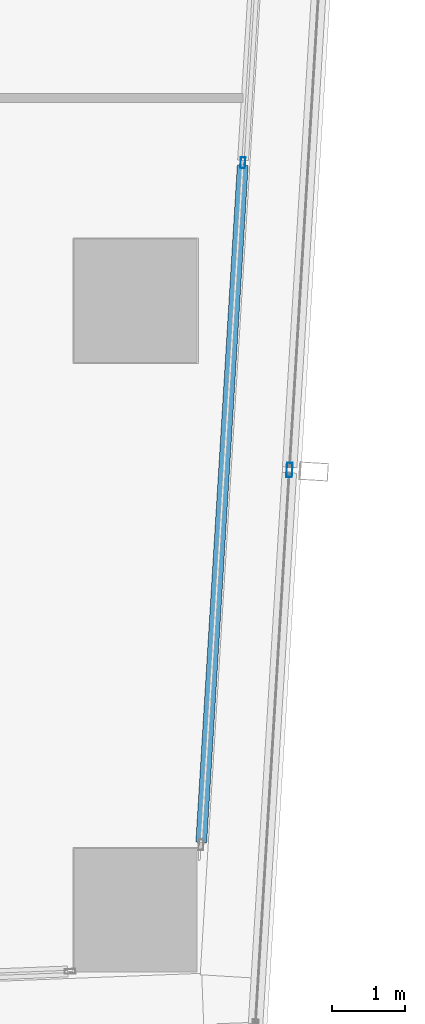
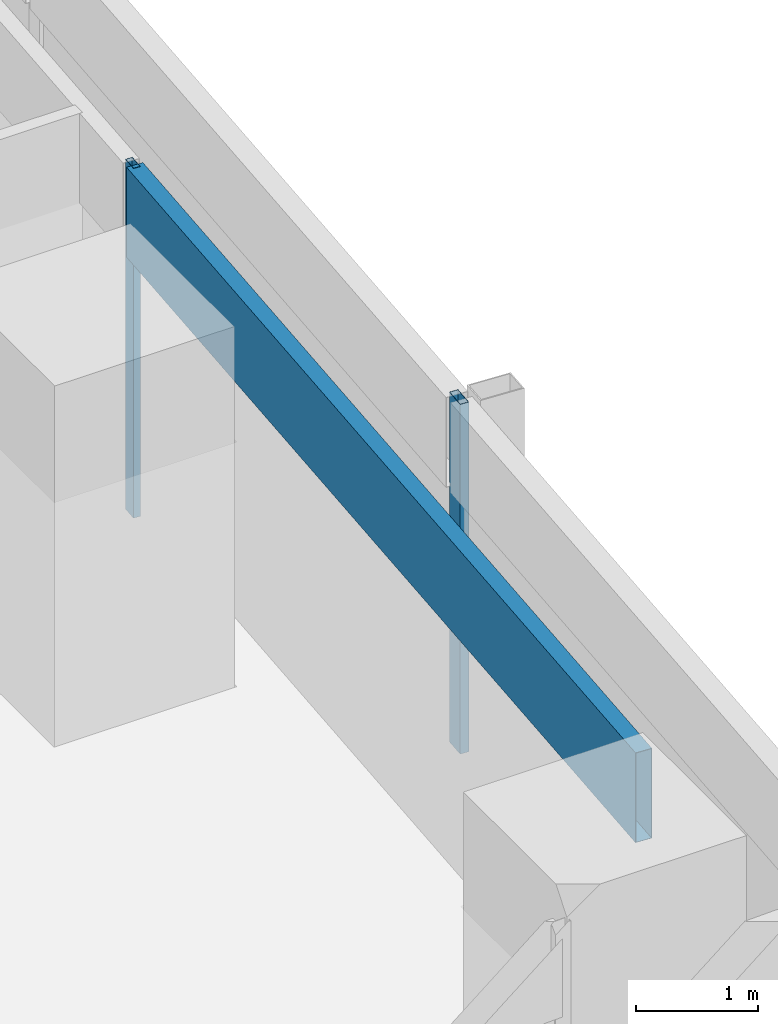
# One storey, part 10 of 38: 3 members, 2 elements without a shape of their own.
"""IFC4 building model written with IfcOpenShell, lengths in metres."""

from ifc_helpers import new_model, si_unit, direction, frame, origin, origin_2d, place, context, subcontext, project, spatial, hollow_rectangle, extrude, material, material_profile, profile_set, type_object, element, aggregate, save


model = new_model("IFC4")

# Units and contexts
model_context = context("Model", 3, precision=1e-05, world=origin(), true_north=direction((0.0, 1.0)))
body_context = subcontext(model_context, "Body", "Model", "MODEL_VIEW")
ifc_project = project(units=[si_unit("LENGTHUNIT", "METRE"), si_unit("AREAUNIT", "SQUARE_METRE"), si_unit("VOLUMEUNIT", "CUBIC_METRE"), si_unit("PLANEANGLEUNIT", "RADIAN"), si_unit("MASSUNIT", "GRAM", prefix="KILO")], contexts=[model_context])

# Site, building, storey
site_placement = place(None, origin())
site = spatial("IfcSite", under=ifc_project, at=site_placement, CompositionType="ELEMENT")
building_placement = place(site_placement, origin())
building = spatial("IfcBuilding", under=site, at=building_placement, Name="Rekha Terrace Tower", CompositionType="ELEMENT")
storey_placement = place(building_placement, frame((0.0, 0.0, 114.050048828125)))
storey = spatial("IfcBuildingStorey", under=building, at=storey_placement, Name="L28", CompositionType="ELEMENT", Elevation=114.050048828125)

# Curtain wall, members
ifc_material_1 = material(Name="Aluminium framing", Category="aluminium")
curtain_wall_type_1 = type_object("IfcCurtainWallType", Name="CW1 double skin inner glazing", PredefinedType="USERDEFINED", material=ifc_material_1)
curtain_wall_1_placement = place(storey_placement, origin())
curtain_wall_1 = element("IfcCurtainWall", 1, at=curtain_wall_1_placement, inside=storey, type_object=curtain_wall_type_1, Name="CW1 double skin inner glazing", ObjectType="DOUBLE SKIN INNER GLAZING", PredefinedType="USERDEFINED")
ifc_material_2 = material(Name="Aluminium mullion section", Category="aluminium")
ifc_material_profile_1 = material_profile(ifc_material_2, hollow_rectangle(XDim=0.06494140625, YDim=0.14990234375, WallThickness=0.00390625, at=origin_2d()), Name="AL RHS 65x150")
ifc_profile_set_1 = profile_set([ifc_material_profile_1], Name="Aluminium mullion section")
member_type_1 = type_object("IfcMemberType", Name="CW1 mullion RHS 65 x 150", PredefinedType="MULLION", material=ifc_profile_set_1)
member_1_placement = place(storey_placement, frame((68.679443359375, 27.101806640625, 0.0), z_axis=(0.0, 0.0, 1.0), x_axis=(-0.998127987024, 0.061159803131, 0.0)))
member_1 = element("IfcMember", 2, at=member_1_placement, type_object=member_type_1, Name="CW1 mullion 2", PredefinedType="MULLION", context=body_context, shape_type="SweptSolid", body=[
    extrude(hollow_rectangle(XDim=0.06494140625, YDim=0.14990234375, WallThickness=0.00390625, at=origin_2d()), origin(), (0.0, 0.0, 1.0), 3.5),
])
ifc_material_3 = material(Name="Insulated aluminium spandrel box", Category="aluminium")
ifc_material_profile_2 = material_profile(ifc_material_3, hollow_rectangle(XDim=0.14990234375, YDim=0.89990234375, WallThickness=0.0029296875, at=origin_2d()), Name="AL SPANDREL BOX 150x900")
ifc_profile_set_2 = profile_set([ifc_material_profile_2], Name="Insulated aluminium spandrel box")
member_type_2 = type_object("IfcMemberType", Name="CW1 spandrel transom 150 x 900", PredefinedType="USERDEFINED", material=ifc_profile_set_2)
member_2_placement = place(storey_placement, frame((68.10546875, 17.731689453125, 3.050048828125), z_axis=(0.061145082926, 0.998128888889, 0.0), x_axis=(-0.998128888889, 0.061145082926, 0.0)))
member_2 = element("IfcMember", 3, at=member_2_placement, type_object=member_type_2, Name="CW1 spandrel transom 1", ObjectType="TRANSOM", PredefinedType="USERDEFINED", context=body_context, shape_type="SweptSolid", body=[
    extrude(hollow_rectangle(XDim=0.14990234375, YDim=0.89990234375, WallThickness=0.0029296875, at=origin_2d()), origin(), (0.0, 0.0, 1.0), 9.355224609375),
])
aggregate(curtain_wall_1, [member_1, member_2])

# Curtain wall, member
curtain_wall_type_2 = type_object("IfcCurtainWallType", Name="CW2 double skin outer glazing", PredefinedType="USERDEFINED", material=ifc_material_1)
curtain_wall_2_placement = place(storey_placement, origin())
curtain_wall_2 = element("IfcCurtainWall", 4, at=curtain_wall_2_placement, inside=storey, type_object=curtain_wall_type_2, Name="CW2 double skin outer glazing", ObjectType="DOUBLE SKIN OUTER GLAZING", PredefinedType="USERDEFINED")
ifc_material_profile_3 = material_profile(ifc_material_2, hollow_rectangle(XDim=0.080078125, YDim=0.199951171875, WallThickness=0.00390625, at=origin_2d()), Name="AL RHS 80x200")
ifc_profile_set_3 = profile_set([ifc_material_profile_3], Name="Aluminium mullion section")
member_type_3 = type_object("IfcMemberType", Name="CW2 mullion RHS 80 x 200", PredefinedType="MULLION", material=ifc_profile_set_3)
member_3_placement = place(storey_placement, frame((69.32177734375, 22.8662109375, 0.0), z_axis=(0.0, 0.0, 1.0), x_axis=(-0.998127987024, 0.061159803131, 0.0)))
member_3 = element("IfcMember", 5, at=member_3_placement, type_object=member_type_3, Name="CW2 mullion 2", PredefinedType="MULLION", context=body_context, shape_type="SweptSolid", body=[
    extrude(hollow_rectangle(XDim=0.080078125, YDim=0.199951171875, WallThickness=0.00390625, at=origin_2d()), origin(), (0.0, 0.0, 1.0), 3.5),
])
aggregate(curtain_wall_2, [member_3])

save(model, "model.ifc")
